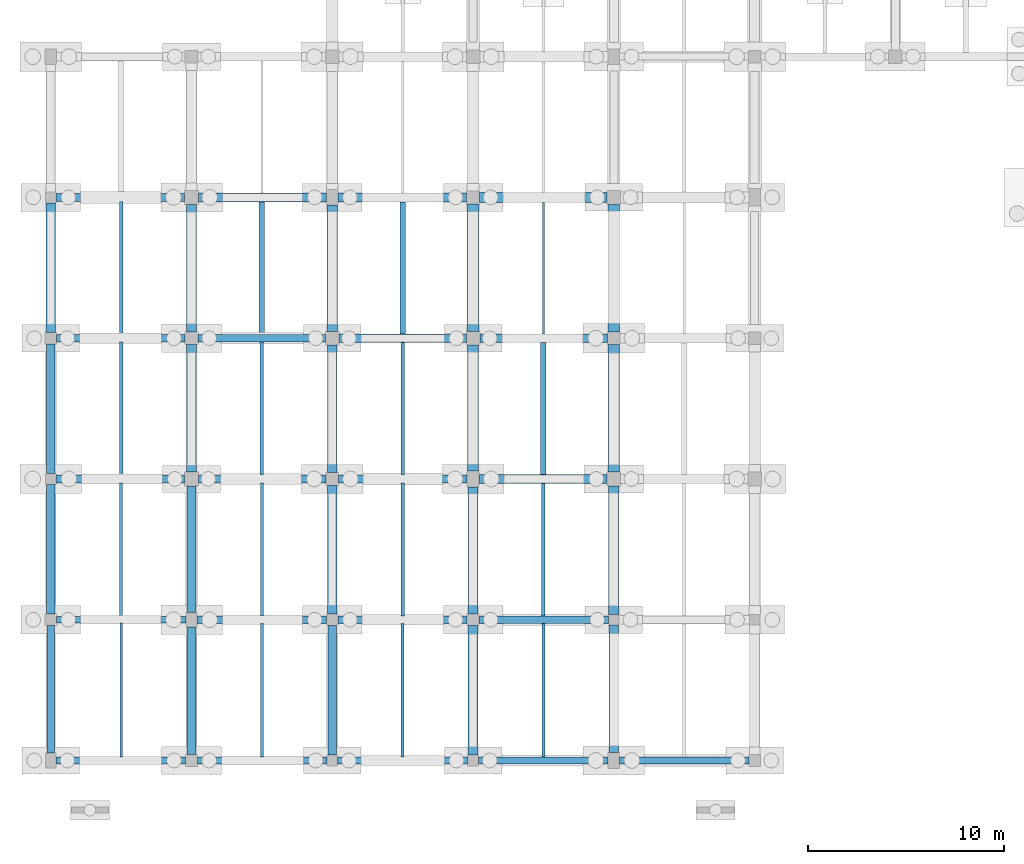
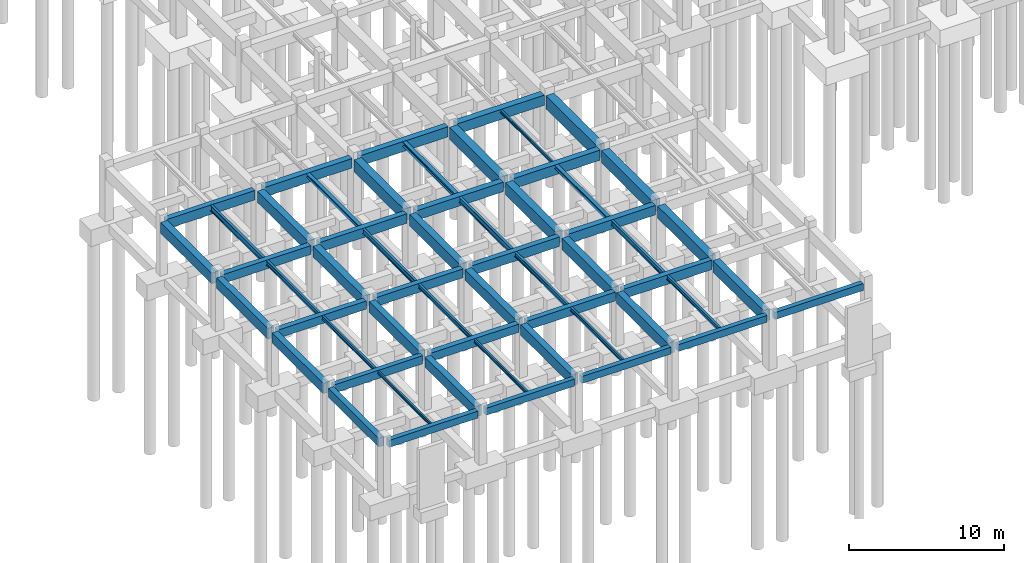
# One storey, part 18 of 44: 57 beams.
"""IFC4 building model written with IfcOpenShell, lengths in metres."""

from ifc_helpers import new_model, si_unit, direction, frame, origin, origin_2d, place, context, subcontext, project, spatial, rectangle, i_section, extrude, material, material_profile, profile_set, type_object, element, save


model = new_model("IFC4")

# Units and contexts
model_context = context("Model", 3, precision=1e-05, world=origin(), true_north=direction((0.0, 1.0)))
body_context = subcontext(model_context, "Body", "Model", "MODEL_VIEW")
ifc_project = project(units=[si_unit("LENGTHUNIT", "METRE"), si_unit("AREAUNIT", "SQUARE_METRE"), si_unit("VOLUMEUNIT", "CUBIC_METRE"), si_unit("PLANEANGLEUNIT", "RADIAN"), si_unit("MASSUNIT", "GRAM", prefix="KILO")], contexts=[model_context])

# Site, building, storey
site_placement = place(None, origin())
site = spatial("IfcSite", under=ifc_project, at=site_placement, CompositionType="ELEMENT")
building_placement = place(site_placement, origin())
building = spatial("IfcBuilding", under=site, at=building_placement, Name="Korsvaeld Concert Hall", CompositionType="ELEMENT")
storey_placement = place(building_placement, frame((0.0, 0.0, -4.800048828125)))
storey = spatial("IfcBuildingStorey", under=building, at=storey_placement, Name="B1", CompositionType="ELEMENT", Elevation=-4.800048828125)

# Beams
ifc_material_1 = material(Name="Concrete C35/45", Category="concrete")
ifc_material_profile_1 = material_profile(ifc_material_1, rectangle(XDim=0.35009765625, YDim=0.64990234375, at=origin_2d()), Name="RC 350x650")
ifc_profile_set_1 = profile_set([ifc_material_profile_1], Name="Concrete C35/45")
beam_type_1 = type_object("IfcBeamType", Name="BM-RC-350x650", PredefinedType="T_BEAM", material=ifc_profile_set_1)
beam_1_placement = place(storey_placement, frame((0.300048828125, 7.199951171875, 3.925048828125), z_axis=(1.0, 0.0, 0.0), x_axis=(0.0, 1.0, 0.0)))
element("IfcBeam", 1, at=beam_1_placement, inside=storey, type_object=beam_type_1, Name="Primary girder 1-2/B B1", PredefinedType="T_BEAM", context=body_context, shape_type="SweptSolid", body=[
    extrude(rectangle(XDim=0.35009765625, YDim=0.64990234375, at=origin_2d()), origin(), (0.0, 0.0, 1.0), 6.625),
])
ifc_material_profile_2 = material_profile(ifc_material_1, rectangle(XDim=0.39990234375, YDim=0.64990234375, at=origin_2d()), Name="RC 400x650")
ifc_profile_set_2 = profile_set([ifc_material_profile_2], Name="Concrete C35/45")
beam_type_2 = type_object("IfcBeamType", Name="BM-RC-400x650", PredefinedType="T_BEAM", material=ifc_profile_set_2)
beam_2_placement = place(storey_placement, frame((7.47509765625, 7.199951171875, 3.925048828125), z_axis=(1.0, 0.0, 0.0), x_axis=(0.0, 1.0, 0.0)))
element("IfcBeam", 2, at=beam_2_placement, inside=storey, type_object=beam_type_2, Name="Primary girder 2-3/B B1", PredefinedType="T_BEAM", context=body_context, shape_type="SweptSolid", body=[
    extrude(rectangle(XDim=0.39990234375, YDim=0.64990234375, at=origin_2d()), origin(), (0.0, 0.0, 1.0), 6.625),
])
beam_3_placement = place(storey_placement, frame((0.27490234375, 14.39990234375, 3.925048828125), z_axis=(1.0, 0.0, 0.0), x_axis=(0.0, 1.0, 0.0)))
element("IfcBeam", 3, at=beam_3_placement, inside=storey, type_object=beam_type_2, Name="Primary girder 1-2/C B1", PredefinedType="T_BEAM", context=body_context, shape_type="SweptSolid", body=[
    extrude(rectangle(XDim=0.39990234375, YDim=0.64990234375, at=origin_2d()), origin(), (0.0, 0.0, 1.0), 6.5751953125),
])
ifc_material_profile_3 = material_profile(ifc_material_1, rectangle(XDim=0.39990234375, YDim=0.699951171875, at=origin_2d()), Name="RC 400x700")
ifc_profile_set_3 = profile_set([ifc_material_profile_3], Name="Concrete C35/45")
beam_type_3 = type_object("IfcBeamType", Name="BM-RC-400x700", PredefinedType="T_BEAM", material=ifc_profile_set_3)
beam_4_placement = place(storey_placement, frame((14.699951171875, 7.199951171875, 3.900146484375), z_axis=(1.0, 0.0, 0.0), x_axis=(0.0, 1.0, 0.0)))
element("IfcBeam", 4, at=beam_4_placement, inside=storey, type_object=beam_type_3, Name="Primary girder 3-4/B B1", PredefinedType="T_BEAM", context=body_context, shape_type="SweptSolid", body=[
    extrude(rectangle(XDim=0.39990234375, YDim=0.699951171875, at=origin_2d()), origin(), (0.0, 0.0, 1.0), 6.60009765625),
])
beam_5_placement = place(storey_placement, frame((7.550048828125, 14.39990234375, 3.900146484375), z_axis=(1.0, 0.0, 0.0), x_axis=(0.0, 1.0, 0.0)))
element("IfcBeam", 5, at=beam_5_placement, inside=storey, type_object=beam_type_3, Name="Primary girder 2-3/C B1", PredefinedType="T_BEAM", context=body_context, shape_type="SweptSolid", body=[
    extrude(rectangle(XDim=0.39990234375, YDim=0.699951171875, at=origin_2d()), origin(), (0.0, 0.0, 1.0), 6.52490234375),
])
beam_6_placement = place(storey_placement, frame((0.300048828125, 21.60009765625, 3.900146484375), z_axis=(1.0, 0.0, 0.0), x_axis=(0.0, 1.0, 0.0)))
element("IfcBeam", 6, at=beam_6_placement, inside=storey, type_object=beam_type_3, Name="Primary girder 1-2/D B1", PredefinedType="T_BEAM", context=body_context, shape_type="SweptSolid", body=[
    extrude(rectangle(XDim=0.39990234375, YDim=0.699951171875, at=origin_2d()), origin(), (0.0, 0.0, 1.0), 6.574951171875),
])
beam_7_placement = place(storey_placement, frame((0.0, 0.375, 3.900146484375), z_axis=(0.0, 1.0, 0.0), x_axis=(-1.0, 0.0, 0.0)))
element("IfcBeam", 7, at=beam_7_placement, inside=storey, type_object=beam_type_3, Name="Primary girder 1/A-B B1", PredefinedType="T_BEAM", context=body_context, shape_type="SweptSolid", body=[
    extrude(rectangle(XDim=0.39990234375, YDim=0.699951171875, at=origin_2d()), origin(), (0.0, 0.0, 1.0), 6.52490234375),
])
ifc_material_profile_4 = material_profile(ifc_material_1, rectangle(XDim=0.39990234375, YDim=0.75, at=origin_2d()), Name="RC 400x750")
ifc_profile_set_4 = profile_set([ifc_material_profile_4], Name="Concrete C35/45")
beam_type_4 = type_object("IfcBeamType", Name="BM-RC-400x750", PredefinedType="T_BEAM", material=ifc_profile_set_4)
beam_8_placement = place(storey_placement, frame((21.89990234375, 7.199951171875, 3.875), z_axis=(1.0, 0.0, 0.0), x_axis=(0.0, 1.0, 0.0)))
element("IfcBeam", 8, at=beam_8_placement, inside=storey, type_object=beam_type_4, Name="Primary girder 4-5/B B1", PredefinedType="T_BEAM", context=body_context, shape_type="SweptSolid", body=[
    extrude(rectangle(XDim=0.39990234375, YDim=0.75, at=origin_2d()), origin(), (0.0, 0.0, 1.0), 6.625),
])
beam_9_placement = place(storey_placement, frame((14.72509765625, 14.39990234375, 3.875), z_axis=(1.0, 0.0, 0.0), x_axis=(0.0, 1.0, 0.0)))
element("IfcBeam", 9, at=beam_9_placement, inside=storey, type_object=beam_type_4, Name="Primary girder 3-4/C B1", PredefinedType="T_BEAM", context=body_context, shape_type="SweptSolid", body=[
    extrude(rectangle(XDim=0.39990234375, YDim=0.75, at=origin_2d()), origin(), (0.0, 0.0, 1.0), 6.574951171875),
])
beam_10_placement = place(storey_placement, frame((7.52490234375, 21.60009765625, 3.875), z_axis=(1.0, 0.0, 0.0), x_axis=(0.0, 1.0, 0.0)))
element("IfcBeam", 10, at=beam_10_placement, inside=storey, type_object=beam_type_4, Name="Primary girder 2-3/D B1", PredefinedType="T_BEAM", context=body_context, shape_type="SweptSolid", body=[
    extrude(rectangle(XDim=0.39990234375, YDim=0.75, at=origin_2d()), origin(), (0.0, 0.0, 1.0), 6.525146484375),
])
beam_11_placement = place(storey_placement, frame((0.27490234375, 28.800048828125, 3.875), z_axis=(1.0, 0.0, 0.0), x_axis=(0.0, 1.0, 0.0)))
element("IfcBeam", 11, at=beam_11_placement, inside=storey, type_object=beam_type_4, Name="Primary girder 1-2/E B1", PredefinedType="T_BEAM", context=body_context, shape_type="SweptSolid", body=[
    extrude(rectangle(XDim=0.39990234375, YDim=0.75, at=origin_2d()), origin(), (0.0, 0.0, 1.0), 6.5751953125),
])
ifc_material_profile_5 = material_profile(ifc_material_1, rectangle(XDim=0.449951171875, YDim=0.75, at=origin_2d()), Name="RC 450x750")
ifc_profile_set_5 = profile_set([ifc_material_profile_5], Name="Concrete C35/45")
beam_type_5 = type_object("IfcBeamType", Name="BM-RC-450x750", PredefinedType="T_BEAM", material=ifc_profile_set_5)
beam_12_placement = place(storey_placement, frame((21.89990234375, 14.39990234375, 3.875), z_axis=(1.0, 0.0, 0.0), x_axis=(0.0, 1.0, 0.0)))
element("IfcBeam", 12, at=beam_12_placement, inside=storey, type_object=beam_type_5, Name="Primary girder 4-5/C B1", PredefinedType="T_BEAM", context=body_context, shape_type="SweptSolid", body=[
    extrude(rectangle(XDim=0.449951171875, YDim=0.75, at=origin_2d()), origin(), (0.0, 0.0, 1.0), 6.550048828125),
])
beam_13_placement = place(storey_placement, frame((14.75, 21.60009765625, 3.875), z_axis=(1.0, 0.0, 0.0), x_axis=(0.0, 1.0, 0.0)))
element("IfcBeam", 13, at=beam_13_placement, inside=storey, type_object=beam_type_5, Name="Primary girder 3-4/D B1", PredefinedType="T_BEAM", context=body_context, shape_type="SweptSolid", body=[
    extrude(rectangle(XDim=0.449951171875, YDim=0.75, at=origin_2d()), origin(), (0.0, 0.0, 1.0), 6.5),
])
beam_14_placement = place(storey_placement, frame((7.550048828125, 28.800048828125, 3.875), z_axis=(1.0, 0.0, 0.0), x_axis=(0.0, 1.0, 0.0)))
element("IfcBeam", 14, at=beam_14_placement, inside=storey, type_object=beam_type_5, Name="Primary girder 2-3/E B1", PredefinedType="T_BEAM", context=body_context, shape_type="SweptSolid", body=[
    extrude(rectangle(XDim=0.449951171875, YDim=0.75, at=origin_2d()), origin(), (0.0, 0.0, 1.0), 6.550048828125),
])
ifc_material_profile_6 = material_profile(ifc_material_1, rectangle(XDim=0.449951171875, YDim=0.800048828125, at=origin_2d()), Name="RC 450x800")
ifc_profile_set_6 = profile_set([ifc_material_profile_6], Name="Concrete C35/45")
beam_type_6 = type_object("IfcBeamType", Name="BM-RC-450x800", PredefinedType="T_BEAM", material=ifc_profile_set_6)
beam_15_placement = place(storey_placement, frame((21.949951171875, 21.60009765625, 3.85009765625), z_axis=(1.0, 0.0, 0.0), x_axis=(0.0, 1.0, 0.0)))
element("IfcBeam", 15, at=beam_15_placement, inside=storey, type_object=beam_type_6, Name="Primary girder 4-5/D B1", PredefinedType="T_BEAM", context=body_context, shape_type="SweptSolid", body=[
    extrude(rectangle(XDim=0.449951171875, YDim=0.800048828125, at=origin_2d()), origin(), (0.0, 0.0, 1.0), 6.525146484375),
])
beam_16_placement = place(storey_placement, frame((14.699951171875, 28.800048828125, 3.85009765625), z_axis=(1.0, 0.0, 0.0), x_axis=(0.0, 1.0, 0.0)))
element("IfcBeam", 16, at=beam_16_placement, inside=storey, type_object=beam_type_6, Name="Primary girder 3-4/E B1", PredefinedType="T_BEAM", context=body_context, shape_type="SweptSolid", body=[
    extrude(rectangle(XDim=0.449951171875, YDim=0.800048828125, at=origin_2d()), origin(), (0.0, 0.0, 1.0), 6.574951171875),
])
beam_17_placement = place(storey_placement, frame((0.0, 7.5, 3.85009765625), z_axis=(0.0, 1.0, 0.0), x_axis=(-1.0, 0.0, 0.0)))
element("IfcBeam", 17, at=beam_17_placement, inside=storey, type_object=beam_type_6, Name="Primary girder 1/B-C B1", PredefinedType="T_BEAM", context=body_context, shape_type="SweptSolid", body=[
    extrude(rectangle(XDim=0.449951171875, YDim=0.800048828125, at=origin_2d()), origin(), (0.0, 0.0, 1.0), 6.625),
])
beam_18_placement = place(storey_placement, frame((7.199951171875, 0.300048828125, 3.85009765625), z_axis=(0.0, 1.0, 0.0), x_axis=(-1.0, 0.0, 0.0)))
element("IfcBeam", 18, at=beam_18_placement, inside=storey, type_object=beam_type_6, Name="Primary girder 2/A-B B1", PredefinedType="T_BEAM", context=body_context, shape_type="SweptSolid", body=[
    extrude(rectangle(XDim=0.449951171875, YDim=0.800048828125, at=origin_2d()), origin(), (0.0, 0.0, 1.0), 6.52490234375),
])
ifc_material_2 = material(Name="Concrete C40/50", Category="concrete")
ifc_material_profile_7 = material_profile(ifc_material_2, rectangle(XDim=0.449951171875, YDim=0.85009765625, at=origin_2d()), Name="RC 450x850")
ifc_profile_set_7 = profile_set([ifc_material_profile_7], Name="Concrete C40/50")
beam_type_7 = type_object("IfcBeamType", Name="BM-RC-450x850", PredefinedType="T_BEAM", material=ifc_profile_set_7)
beam_19_placement = place(storey_placement, frame((0.0, 14.675048828125, 3.824951171875), z_axis=(0.0, 1.0, 0.0), x_axis=(-1.0, 0.0, 0.0)))
element("IfcBeam", 19, at=beam_19_placement, inside=storey, type_object=beam_type_7, Name="Primary girder 1/C-D B1", PredefinedType="T_BEAM", context=body_context, shape_type="SweptSolid", body=[
    extrude(rectangle(XDim=0.449951171875, YDim=0.85009765625, at=origin_2d()), origin(), (0.0, 0.0, 1.0), 6.625),
])
beam_20_placement = place(storey_placement, frame((7.199951171875, 7.574951171875, 3.824951171875), z_axis=(0.0, 1.0, 0.0), x_axis=(-1.0, 0.0, 0.0)))
element("IfcBeam", 20, at=beam_20_placement, inside=storey, type_object=beam_type_7, Name="Primary girder 2/B-C B1", PredefinedType="T_BEAM", context=body_context, shape_type="SweptSolid", body=[
    extrude(rectangle(XDim=0.449951171875, YDim=0.85009765625, at=origin_2d()), origin(), (0.0, 0.0, 1.0), 6.47509765625),
])
beam_21_placement = place(storey_placement, frame((14.39990234375, 0.27490234375, 3.824951171875), z_axis=(0.0, 1.0, 0.0), x_axis=(-1.0, 0.0, 0.0)))
element("IfcBeam", 21, at=beam_21_placement, inside=storey, type_object=beam_type_7, Name="Primary girder 3/A-B B1", PredefinedType="T_BEAM", context=body_context, shape_type="SweptSolid", body=[
    extrude(rectangle(XDim=0.449951171875, YDim=0.85009765625, at=origin_2d()), origin(), (0.0, 0.0, 1.0), 6.625),
])
ifc_material_profile_8 = material_profile(ifc_material_2, rectangle(XDim=0.5, YDim=0.800048828125, at=origin_2d()), Name="RC 500x800")
ifc_profile_set_8 = profile_set([ifc_material_profile_8], Name="Concrete C40/50")
beam_type_8 = type_object("IfcBeamType", Name="BM-RC-500x800", PredefinedType="T_BEAM", material=ifc_profile_set_8)
beam_22_placement = place(storey_placement, frame((21.925048828125, 28.800048828125, 3.85009765625), z_axis=(1.0, 0.0, 0.0), x_axis=(0.0, 1.0, 0.0)))
element("IfcBeam", 22, at=beam_22_placement, inside=storey, type_object=beam_type_8, Name="Primary girder 4-5/E B1", PredefinedType="T_BEAM", context=body_context, shape_type="SweptSolid", body=[
    extrude(rectangle(XDim=0.5, YDim=0.800048828125, at=origin_2d()), origin(), (0.0, 0.0, 1.0), 6.52490234375),
])
ifc_material_profile_9 = material_profile(ifc_material_2, rectangle(XDim=0.5, YDim=0.85009765625, at=origin_2d()), Name="RC 500x850")
ifc_profile_set_9 = profile_set([ifc_material_profile_9], Name="Concrete C40/50")
beam_type_9 = type_object("IfcBeamType", Name="BM-RC-500x850", PredefinedType="T_BEAM", material=ifc_profile_set_9)
beam_23_placement = place(storey_placement, frame((0.0, 21.89990234375, 3.824951171875), z_axis=(0.0, 1.0, 0.0), x_axis=(-1.0, 0.0, 0.0)))
element("IfcBeam", 23, at=beam_23_placement, inside=storey, type_object=beam_type_9, Name="Primary girder 1/D-E B1", PredefinedType="T_BEAM", context=body_context, shape_type="SweptSolid", body=[
    extrude(rectangle(XDim=0.5, YDim=0.85009765625, at=origin_2d()), origin(), (0.0, 0.0, 1.0), 6.625),
])
beam_24_placement = place(storey_placement, frame((7.199951171875, 14.75, 3.824951171875), z_axis=(0.0, 1.0, 0.0), x_axis=(-1.0, 0.0, 0.0)))
element("IfcBeam", 24, at=beam_24_placement, inside=storey, type_object=beam_type_9, Name="Primary girder 2/C-D B1", PredefinedType="T_BEAM", context=body_context, shape_type="SweptSolid", body=[
    extrude(rectangle(XDim=0.5, YDim=0.85009765625, at=origin_2d()), origin(), (0.0, 0.0, 1.0), 6.52490234375),
])
beam_25_placement = place(storey_placement, frame((14.39990234375, 7.5, 3.824951171875), z_axis=(0.0, 1.0, 0.0), x_axis=(-1.0, 0.0, 0.0)))
element("IfcBeam", 25, at=beam_25_placement, inside=storey, type_object=beam_type_9, Name="Primary girder 3/B-C B1", PredefinedType="T_BEAM", context=body_context, shape_type="SweptSolid", body=[
    extrude(rectangle(XDim=0.5, YDim=0.85009765625, at=origin_2d()), origin(), (0.0, 0.0, 1.0), 6.574951171875),
])
beam_26_placement = place(storey_placement, frame((21.60009765625, 0.27490234375, 3.824951171875), z_axis=(0.0, 1.0, 0.0), x_axis=(-1.0, 0.0, 0.0)))
element("IfcBeam", 26, at=beam_26_placement, inside=storey, type_object=beam_type_9, Name="Primary girder 4/A-B B1", PredefinedType="T_BEAM", context=body_context, shape_type="SweptSolid", body=[
    extrude(rectangle(XDim=0.5, YDim=0.85009765625, at=origin_2d()), origin(), (0.0, 0.0, 1.0), 6.625),
])
ifc_material_profile_10 = material_profile(ifc_material_2, rectangle(XDim=0.5, YDim=0.89990234375, at=origin_2d()), Name="RC 500x900")
ifc_profile_set_10 = profile_set([ifc_material_profile_10], Name="Concrete C40/50")
beam_type_10 = type_object("IfcBeamType", Name="BM-RC-500x900", PredefinedType="T_BEAM", material=ifc_profile_set_10)
for number, where, z_axis, x_axis, name in (
    (27, (7.199951171875, 21.925048828125, 3.800048828125), (0.0, 1.0, 0.0), (-1.0, 0.0, 0.0), "Primary girder 2/D-E B1"),
    (28, (14.39990234375, 14.72509765625, 3.800048828125), (0.0, 1.0, 0.0), (-1.0, 0.0, 0.0), "Primary girder 3/C-D B1"),
):
    element("IfcBeam", number, at=place(storey_placement, frame(where, z_axis=z_axis, x_axis=x_axis)), inside=storey, type_object=beam_type_10, Name=name, PredefinedType="T_BEAM", context=body_context, shape_type="SweptSolid", body=[
        extrude(rectangle(XDim=0.5, YDim=0.89990234375, at=origin_2d()), origin(), (0.0, 0.0, 1.0), 6.52490234375),
    ])
beam_27_placement = place(storey_placement, frame((21.60009765625, 7.5, 3.800048828125), z_axis=(0.0, 1.0, 0.0), x_axis=(-1.0, 0.0, 0.0)))
element("IfcBeam", 29, at=beam_27_placement, inside=storey, type_object=beam_type_10, Name="Primary girder 4/B-C B1", PredefinedType="T_BEAM", context=body_context, shape_type="SweptSolid", body=[
    extrude(rectangle(XDim=0.5, YDim=0.89990234375, at=origin_2d()), origin(), (0.0, 0.0, 1.0), 6.5),
])
beam_28_placement = place(storey_placement, frame((28.800048828125, 0.39990234375, 3.800048828125), z_axis=(0.0, 1.0, 0.0), x_axis=(-1.0, 0.0, 0.0)))
element("IfcBeam", 30, at=beam_28_placement, inside=storey, type_object=beam_type_10, Name="Primary girder 5/A-B B1", PredefinedType="T_BEAM", context=body_context, shape_type="SweptSolid", body=[
    extrude(rectangle(XDim=0.5, YDim=0.89990234375, at=origin_2d()), origin(), (0.0, 0.0, 1.0), 6.525146484375),
])
ifc_material_profile_11 = material_profile(ifc_material_2, rectangle(XDim=0.550048828125, YDim=0.949951171875, at=origin_2d()), Name="RC 550x950")
ifc_profile_set_11 = profile_set([ifc_material_profile_11], Name="Concrete C40/50")
beam_type_11 = type_object("IfcBeamType", Name="BM-RC-550x950", PredefinedType="T_BEAM", material=ifc_profile_set_11)
for number, where, z_axis, x_axis, name in (
    (31, (14.39990234375, 21.949951171875, 3.775146484375), (0.0, 1.0, 0.0), (-1.0, 0.0, 0.0), "Primary girder 3/D-E B1"),
    (32, (21.60009765625, 14.800048828125, 3.775146484375), (0.0, 1.0, 0.0), (-1.0, 0.0, 0.0), "Primary girder 4/C-D B1"),
):
    element("IfcBeam", number, at=place(storey_placement, frame(where, z_axis=z_axis, x_axis=x_axis)), inside=storey, type_object=beam_type_11, Name=name, PredefinedType="T_BEAM", context=body_context, shape_type="SweptSolid", body=[
        extrude(rectangle(XDim=0.550048828125, YDim=0.949951171875, at=origin_2d()), origin(), (0.0, 0.0, 1.0), 6.449951171875),
    ])
beam_29_placement = place(storey_placement, frame((28.800048828125, 7.47509765625, 3.775146484375), z_axis=(0.0, 1.0, 0.0), x_axis=(-1.0, 0.0, 0.0)))
element("IfcBeam", 33, at=beam_29_placement, inside=storey, type_object=beam_type_11, Name="Primary girder 5/B-C B1", PredefinedType="T_BEAM", context=body_context, shape_type="SweptSolid", body=[
    extrude(rectangle(XDim=0.550048828125, YDim=0.949951171875, at=origin_2d()), origin(), (0.0, 0.0, 1.0), 6.574951171875),
])
ifc_material_profile_12 = material_profile(ifc_material_2, rectangle(XDim=0.60009765625, YDim=1.050048828125, at=origin_2d()), Name="RC 600x1050")
ifc_profile_set_12 = profile_set([ifc_material_profile_12], Name="Concrete C40/50")
beam_type_12 = type_object("IfcBeamType", Name="BM-RC-600x1050", PredefinedType="T_BEAM", material=ifc_profile_set_12)
beam_30_placement = place(storey_placement, frame((28.800048828125, 21.925048828125, 3.72509765625), z_axis=(0.0, 1.0, 0.0), x_axis=(-1.0, 0.0, 0.0)))
element("IfcBeam", 34, at=beam_30_placement, inside=storey, type_object=beam_type_12, Name="Primary girder 5/D-E B1", PredefinedType="T_BEAM", context=body_context, shape_type="SweptSolid", body=[
    extrude(rectangle(XDim=0.60009765625, YDim=1.050048828125, at=origin_2d()), origin(), (0.0, 0.0, 1.0), 6.52490234375),
])
ifc_material_profile_13 = material_profile(ifc_material_2, rectangle(XDim=0.60009765625, YDim=0.949951171875, at=origin_2d()), Name="RC 600x950")
ifc_profile_set_13 = profile_set([ifc_material_profile_13], Name="Concrete C40/50")
beam_type_13 = type_object("IfcBeamType", Name="BM-RC-600x950", PredefinedType="T_BEAM", material=ifc_profile_set_13)
beam_31_placement = place(storey_placement, frame((21.60009765625, 21.949951171875, 3.775146484375), z_axis=(0.0, 1.0, 0.0), x_axis=(-1.0, 0.0, 0.0)))
element("IfcBeam", 35, at=beam_31_placement, inside=storey, type_object=beam_type_13, Name="Primary girder 4/D-E B1", PredefinedType="T_BEAM", context=body_context, shape_type="SweptSolid", body=[
    extrude(rectangle(XDim=0.60009765625, YDim=0.949951171875, at=origin_2d()), origin(), (0.0, 0.0, 1.0), 6.525146484375),
])
beam_32_placement = place(storey_placement, frame((28.800048828125, 14.75, 3.775146484375), z_axis=(0.0, 1.0, 0.0), x_axis=(-1.0, 0.0, 0.0)))
element("IfcBeam", 36, at=beam_32_placement, inside=storey, type_object=beam_type_13, Name="Primary girder 5/C-D B1", PredefinedType="T_BEAM", context=body_context, shape_type="SweptSolid", body=[
    extrude(rectangle(XDim=0.60009765625, YDim=0.949951171875, at=origin_2d()), origin(), (0.0, 0.0, 1.0), 6.52490234375),
])
ifc_material_profile_14 = material_profile(ifc_material_1, rectangle(XDim=0.35009765625, YDim=0.550048828125, at=origin_2d()), Name="RC 350x550")
ifc_profile_set_14 = profile_set([ifc_material_profile_14], Name="Concrete C35/45")
beam_type_14 = type_object("IfcBeamType", Name="BM-SP-350x550", PredefinedType="SPANDREL", material=ifc_profile_set_14)
for number, where, z_axis, x_axis, name in (
    (37, (0.27490234375, 0.0, 3.97509765625), (1.0, 0.0, 0.0), (0.0, 1.0, 0.0), "Primary girder 1-2/A B1"),
    (38, (7.5, 0.0, 3.97509765625), (1.0, 0.0, 0.0), (0.0, 1.0, 0.0), "Primary girder 2-3/A B1"),
):
    element("IfcBeam", number, at=place(storey_placement, frame(where, z_axis=z_axis, x_axis=x_axis)), inside=storey, type_object=beam_type_14, Name=name, PredefinedType="SPANDREL", context=body_context, shape_type="SweptSolid", body=[
        extrude(rectangle(XDim=0.35009765625, YDim=0.550048828125, at=origin_2d()), origin(), (0.0, 0.0, 1.0), 6.625),
    ])
beam_33_placement = place(storey_placement, frame((14.675048828125, 0.0, 3.97509765625), z_axis=(1.0, 0.0, 0.0), x_axis=(0.0, 1.0, 0.0)))
element("IfcBeam", 39, at=beam_33_placement, inside=storey, type_object=beam_type_14, Name="Primary girder 3-4/A B1", PredefinedType="SPANDREL", context=body_context, shape_type="SweptSolid", body=[
    extrude(rectangle(XDim=0.35009765625, YDim=0.550048828125, at=origin_2d()), origin(), (0.0, 0.0, 1.0), 6.64990234375),
])
beam_34_placement = place(storey_placement, frame((21.875, 0.0, 3.97509765625), z_axis=(1.0, 0.0, 0.0), x_axis=(0.0, 1.0, 0.0)))
element("IfcBeam", 40, at=beam_34_placement, inside=storey, type_object=beam_type_14, Name="Primary girder 4-5/A B1", PredefinedType="SPANDREL", context=body_context, shape_type="SweptSolid", body=[
    extrude(rectangle(XDim=0.35009765625, YDim=0.550048828125, at=origin_2d()), origin(), (0.0, 0.0, 1.0), 6.625),
])
beam_35_placement = place(storey_placement, frame((29.10009765625, 0.0, 3.97509765625), z_axis=(1.0, 0.0, 0.0), x_axis=(0.0, 1.0, 0.0)))
element("IfcBeam", 41, at=beam_35_placement, inside=storey, type_object=beam_type_14, Name="Primary girder 5-6/A B1", PredefinedType="SPANDREL", context=body_context, shape_type="SweptSolid", body=[
    extrude(rectangle(XDim=0.35009765625, YDim=0.550048828125, at=origin_2d()), origin(), (0.0, 0.0, 1.0), 6.599853515625),
])
ifc_material_3 = material(Name="Steel S355J2", Category="steel")
ifc_material_profile_15 = material_profile(ifc_material_3, i_section(OverallWidth=0.280029296875, OverallDepth=0.27001953125, WebThickness=0.008056640625, FlangeThickness=0.012939453125, FilletRadius=0.02392578125, at=origin_2d()), Name="HEA 280")
ifc_profile_set_15 = profile_set([ifc_material_profile_15], Name="Steel S355J2")
beam_type_15 = type_object("IfcBeamType", Name="BM-STL-HEA280", PredefinedType="BEAM", material=ifc_profile_set_15)
beam_36_placement = place(storey_placement, frame((10.800048828125, 21.800048828125, 4.114990234375), z_axis=(0.0, 1.0, 0.0), x_axis=(-1.0, 0.0, 0.0)))
element("IfcBeam", 42, at=beam_36_placement, inside=storey, type_object=beam_type_15, Name="Secondary steel floor beam 2-3/D B1", PredefinedType="BEAM", context=body_context, shape_type="SweptSolid", body=[
    extrude(i_section(OverallWidth=0.280029296875, OverallDepth=0.27001953125, WebThickness=0.008056640625, FlangeThickness=0.012939453125, FilletRadius=0.02392578125, at=origin_2d()), origin(), (0.0, 0.0, 1.0), 6.77490234375),
])
beam_37_placement = place(storey_placement, frame((25.199951171875, 14.625, 4.114990234375), z_axis=(0.0, 1.0, 0.0), x_axis=(-1.0, 0.0, 0.0)))
element("IfcBeam", 43, at=beam_37_placement, inside=storey, type_object=beam_type_15, Name="Secondary steel floor beam 4-5/C B1", PredefinedType="BEAM", context=body_context, shape_type="SweptSolid", body=[
    extrude(i_section(OverallWidth=0.280029296875, OverallDepth=0.27001953125, WebThickness=0.008056640625, FlangeThickness=0.012939453125, FilletRadius=0.02392578125, at=origin_2d()), origin(), (0.0, 0.0, 1.0), 6.75),
])
ifc_material_profile_16 = material_profile(ifc_material_3, i_section(OverallWidth=0.300048828125, OverallDepth=0.35009765625, WebThickness=0.010009765625, FlangeThickness=0.017578125, FilletRadius=0.027099609375, at=origin_2d()), Name="HEA 360")
ifc_profile_set_16 = profile_set([ifc_material_profile_16], Name="Steel S355J2")
beam_type_16 = type_object("IfcBeamType", Name="BM-STL-HEA360", PredefinedType="BEAM", material=ifc_profile_set_16)
beam_38_placement = place(storey_placement, frame((18.0, 21.824951171875, 4.074951171875), z_axis=(0.0, 1.0, 0.0), x_axis=(-1.0, 0.0, 0.0)))
element("IfcBeam", 44, at=beam_38_placement, inside=storey, type_object=beam_type_16, Name="Secondary steel floor beam 3-4/D B1", PredefinedType="BEAM", context=body_context, shape_type="SweptSolid", body=[
    extrude(i_section(OverallWidth=0.300048828125, OverallDepth=0.35009765625, WebThickness=0.010009765625, FlangeThickness=0.017578125, FilletRadius=0.027099609375, at=origin_2d()), origin(), (0.0, 0.0, 1.0), 6.75),
])
ifc_material_profile_17 = material_profile(ifc_material_3, i_section(OverallWidth=0.1201171875, OverallDepth=0.239990234375, WebThickness=0.006103515625, FlangeThickness=0.009765625, FilletRadius=0.014892578125, at=origin_2d()), Name="IPE 240")
ifc_profile_set_17 = profile_set([ifc_material_profile_17], Name="Steel S355J2")
beam_type_17 = type_object("IfcBeamType", Name="BM-STL-IPE240", PredefinedType="JOIST", material=ifc_profile_set_17)
beam_39_placement = place(storey_placement, frame((3.60009765625, 0.175048828125, 4.130126953125), z_axis=(0.0, 1.0, 0.0), x_axis=(-1.0, 0.0, 0.0)))
element("IfcBeam", 45, at=beam_39_placement, inside=storey, type_object=beam_type_17, Name="Secondary steel floor beam 1-2/A B1", PredefinedType="JOIST", context=body_context, shape_type="SweptSolid", body=[
    extrude(i_section(OverallWidth=0.1201171875, OverallDepth=0.239990234375, WebThickness=0.006103515625, FlangeThickness=0.009765625, FilletRadius=0.014892578125, at=origin_2d()), origin(), (0.0, 0.0, 1.0), 6.849853515625),
])
beam_40_placement = place(storey_placement, frame((25.199951171875, 21.824951171875, 4.130126953125), z_axis=(0.0, 1.0, 0.0), x_axis=(-1.0, 0.0, 0.0)))
element("IfcBeam", 46, at=beam_40_placement, inside=storey, type_object=beam_type_17, Name="Secondary steel floor beam 4-5/D B1", PredefinedType="JOIST", context=body_context, shape_type="SweptSolid", body=[
    extrude(i_section(OverallWidth=0.1201171875, OverallDepth=0.239990234375, WebThickness=0.006103515625, FlangeThickness=0.009765625, FilletRadius=0.014892578125, at=origin_2d()), origin(), (0.0, 0.0, 1.0), 6.72509765625),
])
ifc_material_profile_18 = material_profile(ifc_material_3, i_section(OverallWidth=0.135009765625, OverallDepth=0.27001953125, WebThickness=0.006591796875, FlangeThickness=0.01025390625, FilletRadius=0.014892578125, at=origin_2d()), Name="IPE 270")
ifc_profile_set_18 = profile_set([ifc_material_profile_18], Name="Steel S355J2")
beam_type_18 = type_object("IfcBeamType", Name="BM-STL-IPE270", PredefinedType="JOIST", material=ifc_profile_set_18)
beam_41_placement = place(storey_placement, frame((10.800048828125, 0.175048828125, 4.114990234375), z_axis=(0.0, 1.0, 0.0), x_axis=(-1.0, 0.0, 0.0)))
element("IfcBeam", 47, at=beam_41_placement, inside=storey, type_object=beam_type_18, Name="Secondary steel floor beam 2-3/A B1", PredefinedType="JOIST", context=body_context, shape_type="SweptSolid", body=[
    extrude(i_section(OverallWidth=0.135009765625, OverallDepth=0.27001953125, WebThickness=0.006591796875, FlangeThickness=0.01025390625, FilletRadius=0.014892578125, at=origin_2d()), origin(), (0.0, 0.0, 1.0), 6.824951171875),
])
ifc_material_profile_19 = material_profile(ifc_material_3, i_section(OverallWidth=0.14990234375, OverallDepth=0.300048828125, WebThickness=0.007080078125, FlangeThickness=0.0107421875, FilletRadius=0.014892578125, at=origin_2d()), Name="IPE 300")
ifc_profile_set_19 = profile_set([ifc_material_profile_19], Name="Steel S355J2")
beam_type_19 = type_object("IfcBeamType", Name="BM-STL-IPE300", PredefinedType="JOIST", material=ifc_profile_set_19)
for number, where, z_axis, x_axis, name in (
    (48, (3.60009765625, 7.375, 4.10009765625), (0.0, 1.0, 0.0), (-1.0, 0.0, 0.0), "Secondary steel floor beam 1-2/B B1"),
    (49, (18.0, 0.175048828125, 4.10009765625), (0.0, 1.0, 0.0), (-1.0, 0.0, 0.0), "Secondary steel floor beam 3-4/A B1"),
):
    element("IfcBeam", number, at=place(storey_placement, frame(where, z_axis=z_axis, x_axis=x_axis)), inside=storey, type_object=beam_type_19, Name=name, PredefinedType="JOIST", context=body_context, shape_type="SweptSolid", body=[
        extrude(i_section(OverallWidth=0.14990234375, OverallDepth=0.300048828125, WebThickness=0.007080078125, FlangeThickness=0.0107421875, FilletRadius=0.014892578125, at=origin_2d()), origin(), (0.0, 0.0, 1.0), 6.824951171875),
    ])
ifc_material_profile_20 = material_profile(ifc_material_3, i_section(OverallWidth=0.159912109375, OverallDepth=0.330078125, WebThickness=0.007568359375, FlangeThickness=0.011474609375, FilletRadius=0.01806640625, at=origin_2d()), Name="IPE 330")
ifc_profile_set_20 = profile_set([ifc_material_profile_20], Name="Steel S355J2")
beam_type_20 = type_object("IfcBeamType", Name="BM-STL-IPE330", PredefinedType="BEAM", material=ifc_profile_set_20)
beam_42_placement = place(storey_placement, frame((10.800048828125, 7.39990234375, 4.0849609375), z_axis=(0.0, 1.0, 0.0), x_axis=(-1.0, 0.0, 0.0)))
element("IfcBeam", 50, at=beam_42_placement, inside=storey, type_object=beam_type_20, Name="Secondary steel floor beam 2-3/B B1", PredefinedType="BEAM", context=body_context, shape_type="SweptSolid", body=[
    extrude(i_section(OverallWidth=0.159912109375, OverallDepth=0.330078125, WebThickness=0.007568359375, FlangeThickness=0.011474609375, FilletRadius=0.01806640625, at=origin_2d()), origin(), (0.0, 0.0, 1.0), 6.800048828125),
])
beam_43_placement = place(storey_placement, frame((25.199951171875, 0.175048828125, 4.0849609375), z_axis=(0.0, 1.0, 0.0), x_axis=(-1.0, 0.0, 0.0)))
element("IfcBeam", 51, at=beam_43_placement, inside=storey, type_object=beam_type_20, Name="Secondary steel floor beam 4-5/A B1", PredefinedType="BEAM", context=body_context, shape_type="SweptSolid", body=[
    extrude(i_section(OverallWidth=0.159912109375, OverallDepth=0.330078125, WebThickness=0.007568359375, FlangeThickness=0.011474609375, FilletRadius=0.01806640625, at=origin_2d()), origin(), (0.0, 0.0, 1.0), 6.824951171875),
])
ifc_material_profile_21 = material_profile(ifc_material_3, i_section(OverallWidth=0.169921875, OverallDepth=0.360107421875, WebThickness=0.008056640625, FlangeThickness=0.0126953125, FilletRadius=0.01806640625, at=origin_2d()), Name="IPE 360")
ifc_profile_set_21 = profile_set([ifc_material_profile_21], Name="Steel S355J2")
beam_type_21 = type_object("IfcBeamType", Name="BM-STL-IPE360", PredefinedType="BEAM", material=ifc_profile_set_21)
beam_44_placement = place(storey_placement, frame((3.60009765625, 14.60009765625, 4.070068359375), z_axis=(0.0, 1.0, 0.0), x_axis=(-1.0, 0.0, 0.0)))
element("IfcBeam", 52, at=beam_44_placement, inside=storey, type_object=beam_type_21, Name="Secondary steel floor beam 1-2/C B1", PredefinedType="BEAM", context=body_context, shape_type="SweptSolid", body=[
    extrude(i_section(OverallWidth=0.169921875, OverallDepth=0.360107421875, WebThickness=0.008056640625, FlangeThickness=0.0126953125, FilletRadius=0.01806640625, at=origin_2d()), origin(), (0.0, 0.0, 1.0), 6.7998046875),
])
beam_45_placement = place(storey_placement, frame((18.0, 7.39990234375, 4.070068359375), z_axis=(0.0, 1.0, 0.0), x_axis=(-1.0, 0.0, 0.0)))
element("IfcBeam", 53, at=beam_45_placement, inside=storey, type_object=beam_type_21, Name="Secondary steel floor beam 3-4/B B1", PredefinedType="BEAM", context=body_context, shape_type="SweptSolid", body=[
    extrude(i_section(OverallWidth=0.169921875, OverallDepth=0.360107421875, WebThickness=0.008056640625, FlangeThickness=0.0126953125, FilletRadius=0.01806640625, at=origin_2d()), origin(), (0.0, 0.0, 1.0), 6.800048828125),
])
ifc_material_profile_22 = material_profile(ifc_material_3, i_section(OverallWidth=0.179931640625, OverallDepth=0.39990234375, WebThickness=0.008544921875, FlangeThickness=0.013427734375, FilletRadius=0.02099609375, at=origin_2d()), Name="IPE 400")
ifc_profile_set_22 = profile_set([ifc_material_profile_22], Name="Steel S355J2")
beam_type_22 = type_object("IfcBeamType", Name="BM-STL-IPE400", PredefinedType="BEAM", material=ifc_profile_set_22)
beam_46_placement = place(storey_placement, frame((10.800048828125, 14.60009765625, 4.050048828125), z_axis=(0.0, 1.0, 0.0), x_axis=(-1.0, 0.0, 0.0)))
element("IfcBeam", 54, at=beam_46_placement, inside=storey, type_object=beam_type_22, Name="Secondary steel floor beam 2-3/C B1", PredefinedType="BEAM", context=body_context, shape_type="SweptSolid", body=[
    extrude(i_section(OverallWidth=0.179931640625, OverallDepth=0.39990234375, WebThickness=0.008544921875, FlangeThickness=0.013427734375, FilletRadius=0.02099609375, at=origin_2d()), origin(), (0.0, 0.0, 1.0), 6.7998046875),
])
beam_47_placement = place(storey_placement, frame((25.199951171875, 7.39990234375, 4.050048828125), z_axis=(0.0, 1.0, 0.0), x_axis=(-1.0, 0.0, 0.0)))
element("IfcBeam", 55, at=beam_47_placement, inside=storey, type_object=beam_type_22, Name="Secondary steel floor beam 4-5/B B1", PredefinedType="BEAM", context=body_context, shape_type="SweptSolid", body=[
    extrude(i_section(OverallWidth=0.179931640625, OverallDepth=0.39990234375, WebThickness=0.008544921875, FlangeThickness=0.013427734375, FilletRadius=0.02099609375, at=origin_2d()), origin(), (0.0, 0.0, 1.0), 6.775146484375),
])
ifc_material_profile_23 = material_profile(ifc_material_3, i_section(OverallWidth=0.18994140625, OverallDepth=0.449951171875, WebThickness=0.009521484375, FlangeThickness=0.0146484375, FilletRadius=0.02099609375, at=origin_2d()), Name="IPE 450")
ifc_profile_set_23 = profile_set([ifc_material_profile_23], Name="Steel S355J2")
beam_type_23 = type_object("IfcBeamType", Name="BM-STL-IPE450", PredefinedType="BEAM", material=ifc_profile_set_23)
beam_48_placement = place(storey_placement, frame((3.60009765625, 21.800048828125, 4.025146484375), z_axis=(0.0, 1.0, 0.0), x_axis=(-1.0, 0.0, 0.0)))
element("IfcBeam", 56, at=beam_48_placement, inside=storey, type_object=beam_type_23, Name="Secondary steel floor beam 1-2/D B1", PredefinedType="BEAM", context=body_context, shape_type="SweptSolid", body=[
    extrude(i_section(OverallWidth=0.18994140625, OverallDepth=0.449951171875, WebThickness=0.009521484375, FlangeThickness=0.0146484375, FilletRadius=0.02099609375, at=origin_2d()), origin(), (0.0, 0.0, 1.0), 6.800048828125),
])
beam_49_placement = place(storey_placement, frame((18.0, 14.60009765625, 4.025146484375), z_axis=(0.0, 1.0, 0.0), x_axis=(-1.0, 0.0, 0.0)))
element("IfcBeam", 57, at=beam_49_placement, inside=storey, type_object=beam_type_23, Name="Secondary steel floor beam 3-4/C B1", PredefinedType="BEAM", context=body_context, shape_type="SweptSolid", body=[
    extrude(i_section(OverallWidth=0.18994140625, OverallDepth=0.449951171875, WebThickness=0.009521484375, FlangeThickness=0.0146484375, FilletRadius=0.02099609375, at=origin_2d()), origin(), (0.0, 0.0, 1.0), 6.77490234375),
])

save(model, "model.ifc")
